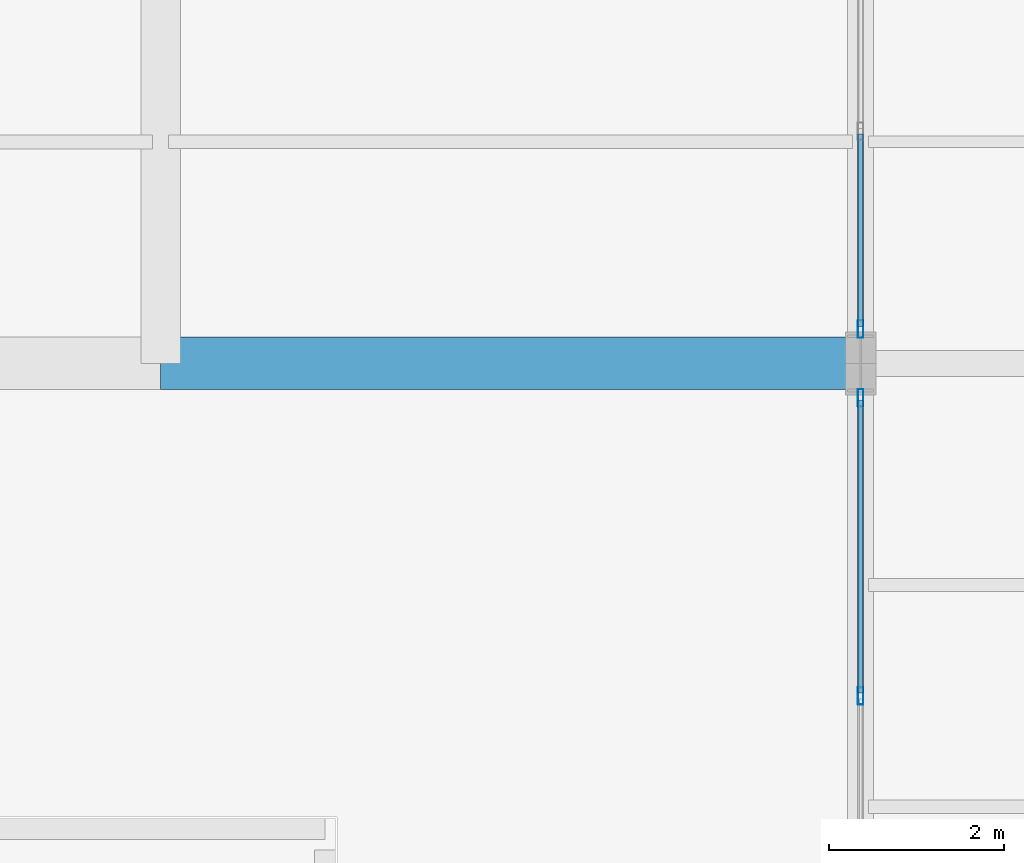
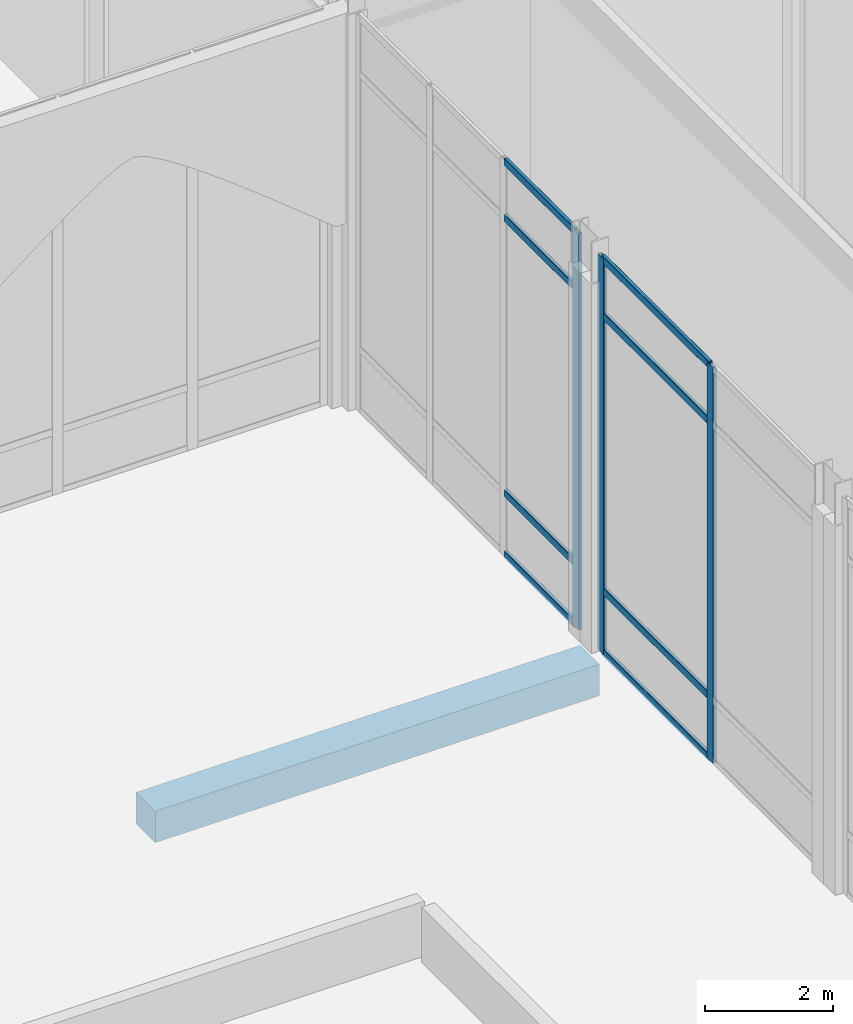
# One storey, part 73 of 176: 11 members, 1 beam, 2 elements without a shape of their own.
"""IFC4 building model written with IfcOpenShell, lengths in metres."""

from ifc_helpers import new_model, si_unit, direction, frame, origin, origin_2d, place, context, subcontext, project, spatial, rectangle, hollow_rectangle, extrude, material, layer, layer_set, material_profile, profile_set, type_object, element, aggregate, save


model = new_model("IFC4")

# Units and contexts
model_context = context("Model", 3, precision=1e-05, world=origin(), true_north=direction((0.0, 1.0)))
body_context = subcontext(model_context, "Body", "Model", "MODEL_VIEW")
ifc_project = project(units=[si_unit("LENGTHUNIT", "METRE"), si_unit("AREAUNIT", "SQUARE_METRE"), si_unit("VOLUMEUNIT", "CUBIC_METRE"), si_unit("PLANEANGLEUNIT", "RADIAN"), si_unit("MASSUNIT", "GRAM", prefix="KILO")], contexts=[model_context])

# Site, building, storey
site_placement = place(None, origin())
site = spatial("IfcSite", under=ifc_project, at=site_placement, CompositionType="ELEMENT")
building_placement = place(site_placement, origin())
building = spatial("IfcBuilding", under=site, at=building_placement, Name="Vekula Escarpment Museum", CompositionType="ELEMENT")
storey_placement = place(building_placement, origin())
storey = spatial("IfcBuildingStorey", under=building, at=storey_placement, Name="L01", CompositionType="ELEMENT", Elevation=0.0)

# Beam
ifc_material_1 = material(Name="Concrete C35/45", Category="concrete")
ifc_material_profile_1 = material_profile(ifc_material_1, rectangle(XDim=0.60009765625, YDim=0.60009765625, at=origin_2d()), Name="RC 600x600")
ifc_profile_set_1 = profile_set([ifc_material_profile_1], Name="Concrete C35/45")
beam_type = type_object("IfcBeamType", Name="BM-PLINTH-RC4", PredefinedType="BEAM", material=ifc_profile_set_1)
beam_placement = place(storey_placement, frame((86.0, 113.199951171875, -0.60009765625), z_axis=(1.0, 0.0, 0.0), x_axis=(0.0, 1.0, 0.0)))
element("IfcBeam", 1, at=beam_placement, inside=storey, type_object=beam_type, Name="Beam X L01 0318", PredefinedType="BEAM", context=body_context, shape_type="SweptSolid", body=[
    extrude(rectangle(XDim=0.60009765625, YDim=0.60009765625, at=origin_2d()), origin(), (0.0, 0.0, 1.0), 8.0),
])

# Curtain wall, member
ifc_material_2 = material(Name="Aluminium thermally broken framing", Category="aluminium")
ifc_layer_1 = layer(ifc_material_2, 0.159912109375)
ifc_layer_set_1 = layer_set([ifc_layer_1], Name="Aluminium thermally broken framing")
curtain_wall_type_1 = type_object("IfcCurtainWallType", Name="CW-SYS-05", PredefinedType="NOTDEFINED", material=ifc_layer_set_1)
curtain_wall_1_placement = place(storey_placement, origin())
curtain_wall_1 = element("IfcCurtainWall", 2, at=curtain_wall_1_placement, inside=storey, type_object=curtain_wall_type_1, Name="Curtain Wall CW-L01-035", PredefinedType="NOTDEFINED")
ifc_material_3 = material(Name="Aluminium anodized mullion", Category="aluminium")
ifc_material_profile_2 = material_profile(ifc_material_3, hollow_rectangle(XDim=0.06494140625, YDim=0.199951171875, WallThickness=0.00390625, InnerFilletRadius=0.00390625, OuterFilletRadius=0.008056640625, at=origin_2d()), Name="ALU 200x65x4")
ifc_profile_set_2 = profile_set([ifc_material_profile_2], Name="Aluminium anodized mullion")
member_type_1 = type_object("IfcMemberType", Name="CW-MUL-200", PredefinedType="MULLION", material=ifc_profile_set_2)
member_1_placement = place(storey_placement, frame((94.0, 113.592529296875, 0.0), z_axis=(0.0, 0.0, 1.0), x_axis=(1.0, 0.0, 0.0)))
member_1 = element("IfcMember", 3, at=member_1_placement, type_object=member_type_1, Name="CW-05 mullion 4", PredefinedType="MULLION", context=body_context, shape_type="SweptSolid", body=[
    extrude(hollow_rectangle(XDim=0.06494140625, YDim=0.199951171875, WallThickness=0.00390625, InnerFilletRadius=0.00390625, OuterFilletRadius=0.008056640625, at=origin_2d()), origin(), (0.0, 0.0, 1.0), 7.5400390625),
])

# Curtain wall, members
ifc_material_4 = material(Name="Aluminium thermally broken framing", Category="aluminium")
ifc_layer_2 = layer(ifc_material_4, 0.139892578125)
ifc_layer_set_2 = layer_set([ifc_layer_2], Name="Aluminium thermally broken framing")
curtain_wall_type_2 = type_object("IfcCurtainWallType", Name="CW-SYS-06", PredefinedType="NOTDEFINED", material=ifc_layer_set_2)
curtain_wall_2_placement = place(storey_placement, origin())
curtain_wall_2 = element("IfcCurtainWall", 4, at=curtain_wall_2_placement, inside=storey, type_object=curtain_wall_type_2, Name="Curtain Wall CW-L01-036", PredefinedType="NOTDEFINED")
member_2_placement = place(storey_placement, frame((94.0, 112.8076171875, 0.0), z_axis=(0.0, 0.0, 1.0), x_axis=(1.0, 0.0, 0.0)))
member_2 = element("IfcMember", 5, at=member_2_placement, type_object=member_type_1, Name="CW-06 mullion 1", PredefinedType="MULLION", context=body_context, shape_type="SweptSolid", body=[
    extrude(hollow_rectangle(XDim=0.06494140625, YDim=0.199951171875, WallThickness=0.00390625, InnerFilletRadius=0.00390625, OuterFilletRadius=0.008056640625, at=origin_2d()), origin(), (0.0, 0.0, 1.0), 7.5400390625),
])
member_3_placement = place(storey_placement, frame((94.0, 109.39990234375, 0.0), z_axis=(0.0, 0.0, 1.0), x_axis=(1.0, 0.0, 0.0)))
member_3 = element("IfcMember", 6, at=member_3_placement, type_object=member_type_1, Name="CW-06 mullion 2", PredefinedType="MULLION", context=body_context, shape_type="SweptSolid", body=[
    extrude(hollow_rectangle(XDim=0.06494140625, YDim=0.199951171875, WallThickness=0.00390625, InnerFilletRadius=0.00390625, OuterFilletRadius=0.008056640625, at=origin_2d()), origin(), (0.0, 0.0, 1.0), 7.5400390625),
])

# Member
ifc_material_5 = material(Name="Aluminium anodized transom", Category="aluminium")
ifc_material_profile_3 = material_profile(ifc_material_5, hollow_rectangle(XDim=0.06494140625, YDim=0.139892578125, WallThickness=0.00390625, InnerFilletRadius=0.00390625, OuterFilletRadius=0.008056640625, at=origin_2d()), Name="ALU 140x65x4")
ifc_profile_set_3 = profile_set([ifc_material_profile_3], Name="Aluminium anodized transom")
member_type_2 = type_object("IfcMemberType", Name="CW-TRN-140", PredefinedType="USERDEFINED", material=ifc_profile_set_3)
member_4_placement = place(storey_placement, frame((94.0, 115.82080078125, 0.032470703125), z_axis=(0.0, -1.0, 0.0), x_axis=(1.0, 0.0, 0.0)))
member_4 = element("IfcMember", 7, at=member_4_placement, type_object=member_type_2, Name="CW-05 transom 3.1", ObjectType="TRANSOM", PredefinedType="USERDEFINED", context=body_context, shape_type="SweptSolid", body=[
    extrude(hollow_rectangle(XDim=0.06494140625, YDim=0.139892578125, WallThickness=0.00390625, InnerFilletRadius=0.00390625, OuterFilletRadius=0.008056640625, at=origin_2d()), origin(), (0.0, 0.0, 1.0), 2.19580078125),
])

member_5_placement = place(storey_placement, frame((94.0, 115.82080078125, 1.199951171875), z_axis=(0.0, -1.0, 0.0), x_axis=(1.0, 0.0, 0.0)))
member_5 = element("IfcMember", 8, at=member_5_placement, type_object=member_type_2, Name="CW-05 transom 3.2", ObjectType="TRANSOM", PredefinedType="USERDEFINED", context=body_context, shape_type="SweptSolid", body=[
    extrude(hollow_rectangle(XDim=0.06494140625, YDim=0.139892578125, WallThickness=0.00390625, InnerFilletRadius=0.00390625, OuterFilletRadius=0.008056640625, at=origin_2d()), origin(), (0.0, 0.0, 1.0), 2.19580078125),
])

member_6_placement = place(storey_placement, frame((94.0, 115.82080078125, 6.43994140625), z_axis=(0.0, -1.0, 0.0), x_axis=(1.0, 0.0, 0.0)))
member_6 = element("IfcMember", 9, at=member_6_placement, type_object=member_type_2, Name="CW-05 transom 3.3", ObjectType="TRANSOM", PredefinedType="USERDEFINED", context=body_context, shape_type="SweptSolid", body=[
    extrude(hollow_rectangle(XDim=0.06494140625, YDim=0.139892578125, WallThickness=0.00390625, InnerFilletRadius=0.00390625, OuterFilletRadius=0.008056640625, at=origin_2d()), origin(), (0.0, 0.0, 1.0), 2.19580078125),
])

member_7_placement = place(storey_placement, frame((94.0, 115.82080078125, 7.507568359375), z_axis=(0.0, -1.0, 0.0), x_axis=(1.0, 0.0, 0.0)))
member_7 = element("IfcMember", 10, at=member_7_placement, type_object=member_type_2, Name="CW-05 transom 3.4", ObjectType="TRANSOM", PredefinedType="USERDEFINED", context=body_context, shape_type="SweptSolid", body=[
    extrude(hollow_rectangle(XDim=0.06494140625, YDim=0.139892578125, WallThickness=0.00390625, InnerFilletRadius=0.00390625, OuterFilletRadius=0.008056640625, at=origin_2d()), origin(), (0.0, 0.0, 1.0), 2.19580078125),
])

aggregate(curtain_wall_1, [member_1, member_4, member_5, member_6, member_7])

member_8_placement = place(storey_placement, frame((94.0, 112.77490234375, 0.032470703125), z_axis=(0.0, -1.0, 0.0), x_axis=(1.0, 0.0, 0.0)))
member_8 = element("IfcMember", 11, at=member_8_placement, type_object=member_type_2, Name="CW-06 transom 1.1", ObjectType="TRANSOM", PredefinedType="USERDEFINED", context=body_context, shape_type="SweptSolid", body=[
    extrude(hollow_rectangle(XDim=0.06494140625, YDim=0.139892578125, WallThickness=0.00390625, InnerFilletRadius=0.00390625, OuterFilletRadius=0.008056640625, at=origin_2d()), origin(), (0.0, 0.0, 1.0), 3.34228515625),
])

member_9_placement = place(storey_placement, frame((94.0, 112.77490234375, 1.199951171875), z_axis=(0.0, -1.0, 0.0), x_axis=(1.0, 0.0, 0.0)))
member_9 = element("IfcMember", 12, at=member_9_placement, type_object=member_type_2, Name="CW-06 transom 1.2", ObjectType="TRANSOM", PredefinedType="USERDEFINED", context=body_context, shape_type="SweptSolid", body=[
    extrude(hollow_rectangle(XDim=0.06494140625, YDim=0.139892578125, WallThickness=0.00390625, InnerFilletRadius=0.00390625, OuterFilletRadius=0.008056640625, at=origin_2d()), origin(), (0.0, 0.0, 1.0), 3.34228515625),
])

member_10_placement = place(storey_placement, frame((94.0, 112.77490234375, 6.43994140625), z_axis=(0.0, -1.0, 0.0), x_axis=(1.0, 0.0, 0.0)))
member_10 = element("IfcMember", 13, at=member_10_placement, type_object=member_type_2, Name="CW-06 transom 1.3", ObjectType="TRANSOM", PredefinedType="USERDEFINED", context=body_context, shape_type="SweptSolid", body=[
    extrude(hollow_rectangle(XDim=0.06494140625, YDim=0.139892578125, WallThickness=0.00390625, InnerFilletRadius=0.00390625, OuterFilletRadius=0.008056640625, at=origin_2d()), origin(), (0.0, 0.0, 1.0), 3.34228515625),
])

member_11_placement = place(storey_placement, frame((94.0, 112.77490234375, 7.507568359375), z_axis=(0.0, -1.0, 0.0), x_axis=(1.0, 0.0, 0.0)))
member_11 = element("IfcMember", 14, at=member_11_placement, type_object=member_type_2, Name="CW-06 transom 1.4", ObjectType="TRANSOM", PredefinedType="USERDEFINED", context=body_context, shape_type="SweptSolid", body=[
    extrude(hollow_rectangle(XDim=0.06494140625, YDim=0.139892578125, WallThickness=0.00390625, InnerFilletRadius=0.00390625, OuterFilletRadius=0.008056640625, at=origin_2d()), origin(), (0.0, 0.0, 1.0), 3.34228515625),
])

aggregate(curtain_wall_2, [member_2, member_3, member_8, member_9, member_10, member_11])

save(model, "model.ifc")
